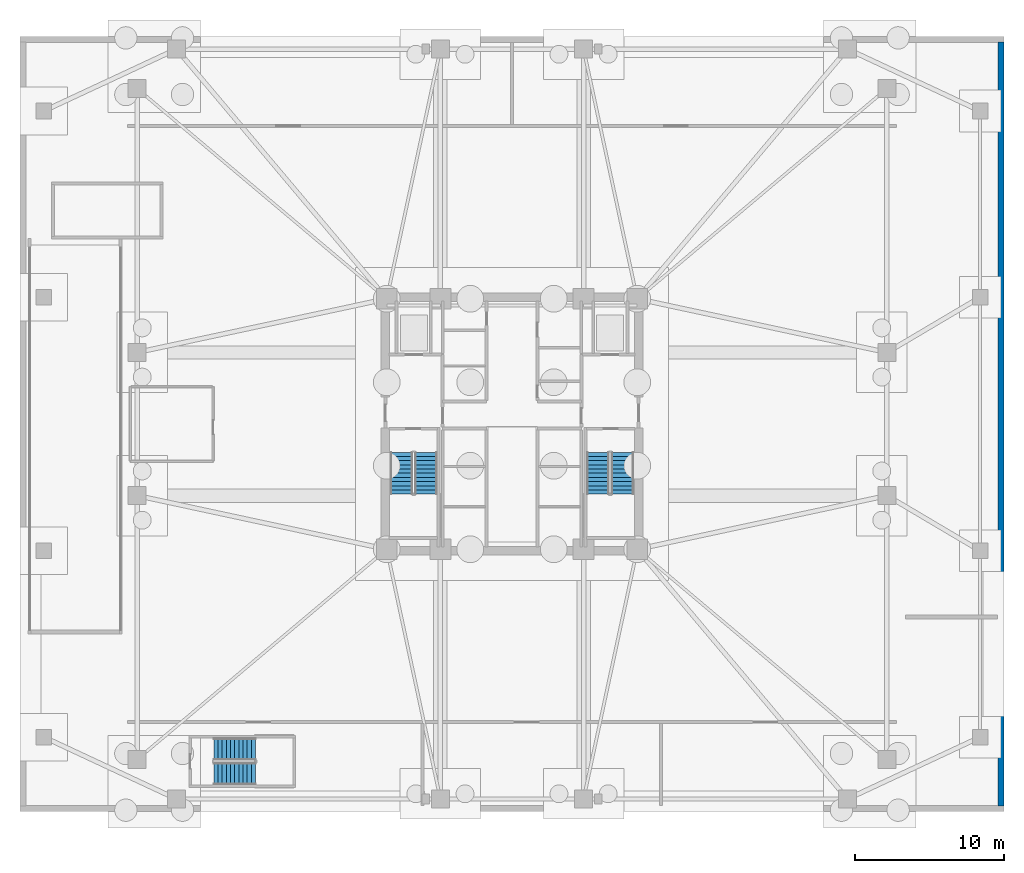
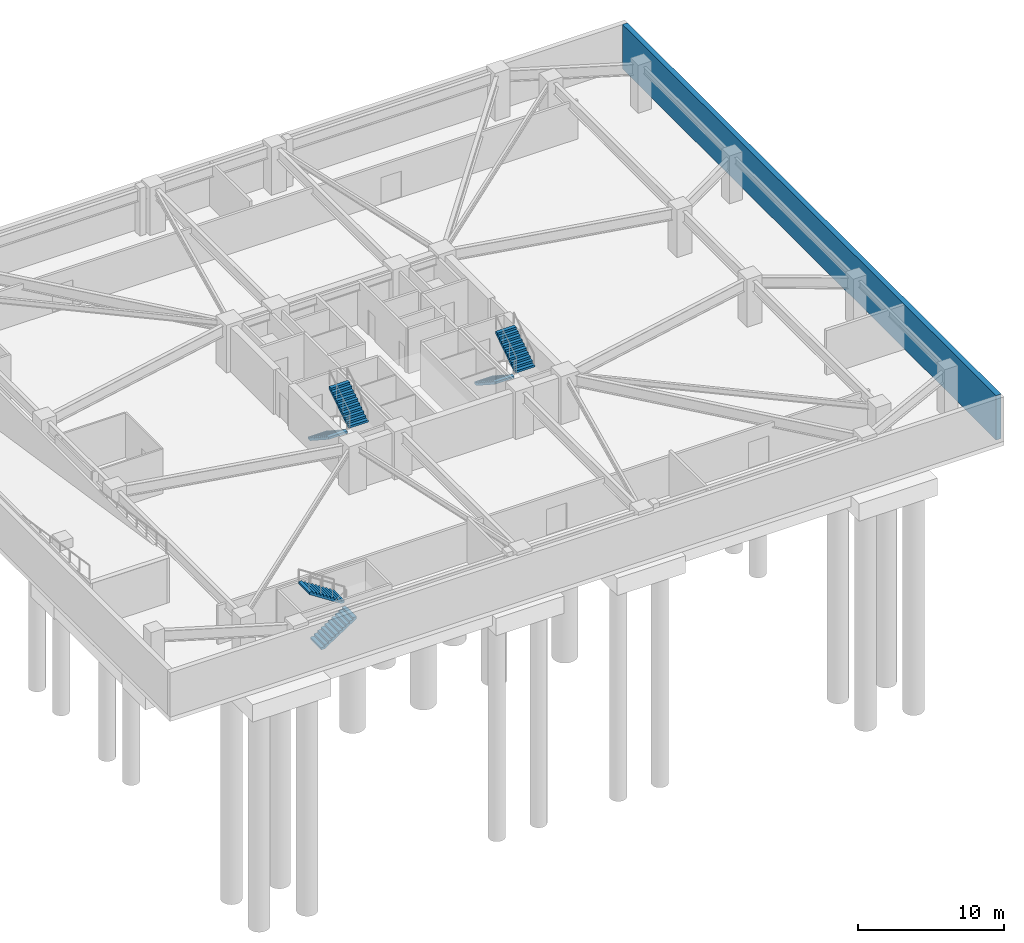
# One storey, part 6 of 10: 6 stair flights, 1 wall, 3 elements without a shape of their own.
"""IFC4 building model written with IfcOpenShell, lengths in metres."""

from ifc_helpers import new_model, si_unit, direction, frame, frame_2d, origin, place, context, subcontext, project, spatial, polyline, rectangle, outline, extrude, material, layer, layer_set, type_object, element, aggregate, save


model = new_model("IFC4")

# Units and contexts
model_context = context("Model", 3, precision=1e-05, world=origin(), true_north=direction((0.0, 1.0)))
body_context = subcontext(model_context, "Body", "Model", "MODEL_VIEW")
ifc_project = project(units=[si_unit("LENGTHUNIT", "METRE"), si_unit("AREAUNIT", "SQUARE_METRE"), si_unit("VOLUMEUNIT", "CUBIC_METRE"), si_unit("PLANEANGLEUNIT", "RADIAN"), si_unit("MASSUNIT", "GRAM", prefix="KILO")], contexts=[model_context])

# Site, building, storey
site_placement = place(None, origin())
site = spatial("IfcSite", under=ifc_project, at=site_placement, CompositionType="ELEMENT")
building_placement = place(site_placement, origin())
building = spatial("IfcBuilding", under=site, at=building_placement, Name="Cairnveth Concourse Tower", CompositionType="ELEMENT")
storey_placement = place(building_placement, frame((0.0, 0.0, -8.0)))
storey = spatial("IfcBuildingStorey", under=building, at=storey_placement, Name="B02", CompositionType="ELEMENT", Elevation=-8.0)

# Wall
ifc_material_1 = material(Name="Concrete N50 (50 MPa)", Category="concrete")
ifc_layer = layer(ifc_material_1, 0.39990234375)
ifc_layer_set = layer_set([ifc_layer], Name="Concrete N50 (50 MPa)")
wall_type = type_object("IfcWallType", Name="BASEMENT RETAINING WALL 400", PredefinedType="USERDEFINED", material=ifc_layer_set)
wall_placement = place(storey_placement, frame((84.800048828125, 64.614990234375, 0.0), z_axis=(0.0, 0.0, 1.0), x_axis=(0.0, -1.0, 0.0)))
element("IfcWall", 1, at=wall_placement, inside=storey, type_object=wall_type, Name="Exterior Wall EW-B02-E", ObjectType="RETAINING WALL", PredefinedType="USERDEFINED", context=body_context, shape_type="SweptSolid", body=[
    extrude(rectangle(XDim=51.22998046875, YDim=0.39990234375, at=frame_2d((25.614990234375, 0.0))), origin(), (0.0, 0.0, 1.0), 3.719970703125),
])

# Stair, stair flights
ifc_material_2 = material(Name="Precast concrete N50 (50 MPa)", Category="concrete")
stair_type = type_object("IfcStairType", Name="CORE DOG-LEG FIRE STAIR 1500", PredefinedType="HALF_TURN_STAIR", material=ifc_material_2)
stair_1_placement = place(storey_placement, origin())
stair_1 = element("IfcStair", 2, at=stair_1_placement, inside=storey, type_object=stair_type, Name="B02 Fire-Isolated Stair ST-1", PredefinedType="HALF_TURN_STAIR")
stair_flight_type = type_object("IfcStairFlightType", Name="PRECAST CONCRETE STAIR FLIGHT 1500", PredefinedType="STRAIGHT", material=ifc_material_2)
stair_flight_1_placement = place(storey_placement, frame((44.590087890625, 37.10009765625, 0.0), z_axis=(0.0, 0.0, 1.0), x_axis=(0.0, -1.0, 0.0)))
stair_flight_1 = element("IfcStairFlight", 3, at=stair_flight_1_placement, type_object=stair_flight_type, Name="ST-1 flight 1", NumberOfRisers=11, NumberOfTreads=10, PredefinedType="STRAIGHT", RiserHeight=0.181818182, TreadLength=0.28, context=body_context, shape_type="SweptSolid", body=[
    extrude(outline(polyline([(0.0, 0.0), (0.0, 0.181884765625), (0.280029296875, 0.181884765625), (0.280029296875, 0.363525390625), (0.56005859375, 0.363525390625), (0.56005859375, 0.54541015625), (0.840087890625, 0.54541015625), (0.840087890625, 0.727294921875), (1.1201171875, 0.727294921875), (1.1201171875, 0.9091796875), (1.39990234375, 0.9091796875), (1.39990234375, 1.0908203125), (1.679931640625, 1.0908203125), (1.679931640625, 1.272705078125), (1.9599609375, 1.272705078125), (1.9599609375, 1.45458984375), (2.239990234375, 1.45458984375), (2.239990234375, 1.636474609375), (2.52001953125, 1.636474609375), (2.52001953125, 1.818115234375), (2.800048828125, 1.818115234375), (2.800048828125, 2.0), (2.800048828125, 1.639404296875), (0.275146484375, 0.0), (0.0, 0.0)])), frame((0.0, 0.75, 0.0), z_axis=(0.0, -1.0, 0.0), x_axis=(1.0, 0.0, 0.0)), (0.0, 0.0, 1.0), 1.5),
])
stair_flight_2_placement = place(storey_placement, frame((46.22998046875, 34.300048828125, 2.0), z_axis=(0.0, 0.0, 1.0), x_axis=(0.0, 1.0, 0.0)))
stair_flight_2 = element("IfcStairFlight", 4, at=stair_flight_2_placement, type_object=stair_flight_type, Name="ST-1 flight 2", NumberOfRisers=11, NumberOfTreads=10, PredefinedType="STRAIGHT", RiserHeight=0.181818182, TreadLength=0.28, context=body_context, shape_type="SweptSolid", body=[
    extrude(outline(polyline([(0.0, 0.0), (0.0, 0.181884765625), (0.280029296875, 0.181884765625), (0.280029296875, 0.363525390625), (0.56005859375, 0.363525390625), (0.56005859375, 0.54541015625), (0.840087890625, 0.54541015625), (0.840087890625, 0.727294921875), (1.1201171875, 0.727294921875), (1.1201171875, 0.9091796875), (1.39990234375, 0.9091796875), (1.39990234375, 1.0908203125), (1.679931640625, 1.0908203125), (1.679931640625, 1.272705078125), (1.9599609375, 1.272705078125), (1.9599609375, 1.45458984375), (2.239990234375, 1.45458984375), (2.239990234375, 1.636474609375), (2.52001953125, 1.636474609375), (2.52001953125, 1.818115234375), (2.800048828125, 1.818115234375), (2.800048828125, 2.0), (2.800048828125, 1.639404296875), (0.275146484375, 0.0), (0.0, 0.0)])), frame((0.0, 0.75, 0.0), z_axis=(0.0, -1.0, 0.0), x_axis=(1.0, 0.0, 0.0)), (0.0, 0.0, 1.0), 1.5),
])
aggregate(stair_1, [stair_flight_1, stair_flight_2])

stair_2_placement = place(storey_placement, origin())
stair_2 = element("IfcStair", 5, at=stair_2_placement, inside=storey, type_object=stair_type, Name="B02 Fire-Isolated Stair ST-2", PredefinedType="HALF_TURN_STAIR")
stair_flight_3_placement = place(storey_placement, frame((57.77001953125, 37.10009765625, 0.0), z_axis=(0.0, 0.0, 1.0), x_axis=(0.0, -1.0, 0.0)))
stair_flight_3 = element("IfcStairFlight", 6, at=stair_flight_3_placement, type_object=stair_flight_type, Name="ST-2 flight 1", NumberOfRisers=11, NumberOfTreads=10, PredefinedType="STRAIGHT", RiserHeight=0.181818182, TreadLength=0.28, context=body_context, shape_type="SweptSolid", body=[
    extrude(outline(polyline([(0.0, 0.0), (0.0, 0.181884765625), (0.280029296875, 0.181884765625), (0.280029296875, 0.363525390625), (0.56005859375, 0.363525390625), (0.56005859375, 0.54541015625), (0.840087890625, 0.54541015625), (0.840087890625, 0.727294921875), (1.1201171875, 0.727294921875), (1.1201171875, 0.9091796875), (1.39990234375, 0.9091796875), (1.39990234375, 1.0908203125), (1.679931640625, 1.0908203125), (1.679931640625, 1.272705078125), (1.9599609375, 1.272705078125), (1.9599609375, 1.45458984375), (2.239990234375, 1.45458984375), (2.239990234375, 1.636474609375), (2.52001953125, 1.636474609375), (2.52001953125, 1.818115234375), (2.800048828125, 1.818115234375), (2.800048828125, 2.0), (2.800048828125, 1.639404296875), (0.275146484375, 0.0), (0.0, 0.0)])), frame((0.0, 0.75, 0.0), z_axis=(0.0, -1.0, 0.0), x_axis=(1.0, 0.0, 0.0)), (0.0, 0.0, 1.0), 1.5),
])
stair_flight_4_placement = place(storey_placement, frame((59.409912109375, 34.300048828125, 2.0), z_axis=(0.0, 0.0, 1.0), x_axis=(0.0, 1.0, 0.0)))
stair_flight_4 = element("IfcStairFlight", 7, at=stair_flight_4_placement, type_object=stair_flight_type, Name="ST-2 flight 2", NumberOfRisers=11, NumberOfTreads=10, PredefinedType="STRAIGHT", RiserHeight=0.181818182, TreadLength=0.28, context=body_context, shape_type="SweptSolid", body=[
    extrude(outline(polyline([(0.0, 0.0), (0.0, 0.181884765625), (0.280029296875, 0.181884765625), (0.280029296875, 0.363525390625), (0.56005859375, 0.363525390625), (0.56005859375, 0.54541015625), (0.840087890625, 0.54541015625), (0.840087890625, 0.727294921875), (1.1201171875, 0.727294921875), (1.1201171875, 0.9091796875), (1.39990234375, 0.9091796875), (1.39990234375, 1.0908203125), (1.679931640625, 1.0908203125), (1.679931640625, 1.272705078125), (1.9599609375, 1.272705078125), (1.9599609375, 1.45458984375), (2.239990234375, 1.45458984375), (2.239990234375, 1.636474609375), (2.52001953125, 1.636474609375), (2.52001953125, 1.818115234375), (2.800048828125, 1.818115234375), (2.800048828125, 2.0), (2.800048828125, 1.639404296875), (0.275146484375, 0.0), (0.0, 0.0)])), frame((0.0, 0.75, 0.0), z_axis=(0.0, -1.0, 0.0), x_axis=(1.0, 0.0, 0.0)), (0.0, 0.0, 1.0), 1.5),
])
aggregate(stair_2, [stair_flight_3, stair_flight_4])

stair_3_placement = place(storey_placement, origin())
stair_3 = element("IfcStair", 8, at=stair_3_placement, inside=storey, type_object=stair_type, Name="B02 Fire-Isolated Stair ST-B1", PredefinedType="HALF_TURN_STAIR")
stair_flight_5_placement = place(storey_placement, frame((32.0, 15.550048828125, 0.0), z_axis=(0.0, 0.0, 1.0), x_axis=(1.0, 0.0, 0.0)))
stair_flight_5 = element("IfcStairFlight", 9, at=stair_flight_5_placement, type_object=stair_flight_type, Name="ST-B1 flight 1", NumberOfRisers=11, NumberOfTreads=10, PredefinedType="STRAIGHT", RiserHeight=0.181818182, TreadLength=0.28, context=body_context, shape_type="SweptSolid", body=[
    extrude(outline(polyline([(0.0, 0.0), (0.0, 0.181884765625), (0.280029296875, 0.181884765625), (0.280029296875, 0.363525390625), (0.56005859375, 0.363525390625), (0.56005859375, 0.54541015625), (0.840087890625, 0.54541015625), (0.840087890625, 0.727294921875), (1.1201171875, 0.727294921875), (1.1201171875, 0.9091796875), (1.39990234375, 0.9091796875), (1.39990234375, 1.0908203125), (1.679931640625, 1.0908203125), (1.679931640625, 1.272705078125), (1.9599609375, 1.272705078125), (1.9599609375, 1.45458984375), (2.239990234375, 1.45458984375), (2.239990234375, 1.636474609375), (2.52001953125, 1.636474609375), (2.52001953125, 1.818115234375), (2.800048828125, 1.818115234375), (2.800048828125, 2.0), (2.800048828125, 1.639404296875), (0.275146484375, 0.0), (0.0, 0.0)])), frame((0.0, 0.75, 0.0), z_axis=(0.0, -1.0, 0.0), x_axis=(1.0, 0.0, 0.0)), (0.0, 0.0, 1.0), 1.5),
])
stair_flight_6_placement = place(storey_placement, frame((34.800048828125, 17.18994140625, 2.0), z_axis=(0.0, 0.0, 1.0), x_axis=(-1.0, 0.0, 0.0)))
stair_flight_6 = element("IfcStairFlight", 10, at=stair_flight_6_placement, type_object=stair_flight_type, Name="ST-B1 flight 2", NumberOfRisers=11, NumberOfTreads=10, PredefinedType="STRAIGHT", RiserHeight=0.181818182, TreadLength=0.28, context=body_context, shape_type="SweptSolid", body=[
    extrude(outline(polyline([(0.0, 0.0), (0.0, 0.181884765625), (0.280029296875, 0.181884765625), (0.280029296875, 0.363525390625), (0.56005859375, 0.363525390625), (0.56005859375, 0.54541015625), (0.840087890625, 0.54541015625), (0.840087890625, 0.727294921875), (1.1201171875, 0.727294921875), (1.1201171875, 0.9091796875), (1.39990234375, 0.9091796875), (1.39990234375, 1.0908203125), (1.679931640625, 1.0908203125), (1.679931640625, 1.272705078125), (1.9599609375, 1.272705078125), (1.9599609375, 1.45458984375), (2.239990234375, 1.45458984375), (2.239990234375, 1.636474609375), (2.52001953125, 1.636474609375), (2.52001953125, 1.818115234375), (2.800048828125, 1.818115234375), (2.800048828125, 2.0), (2.800048828125, 1.639404296875), (0.275146484375, 0.0), (0.0, 0.0)])), frame((0.0, 0.75, 0.0), z_axis=(0.0, -1.0, 0.0), x_axis=(1.0, 0.0, 0.0)), (0.0, 0.0, 1.0), 1.5),
])
aggregate(stair_3, [stair_flight_5, stair_flight_6])

save(model, "model.ifc")
